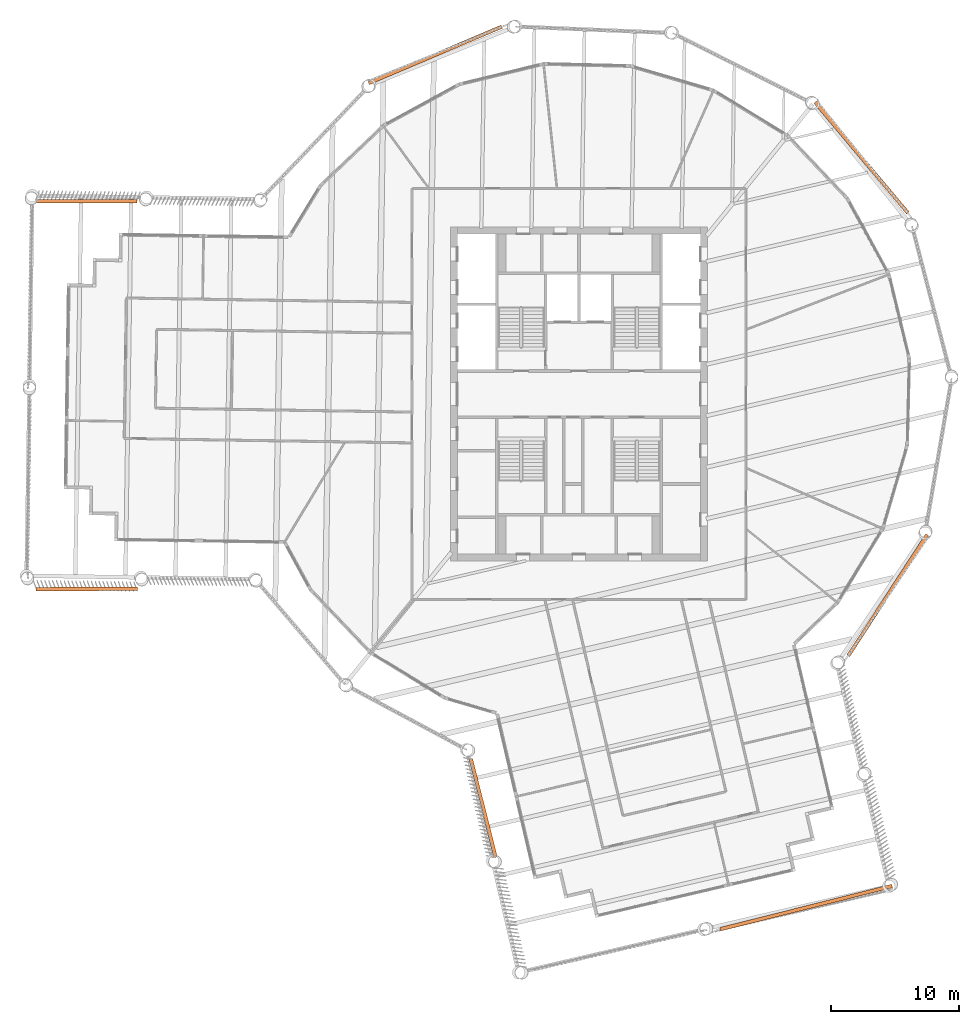
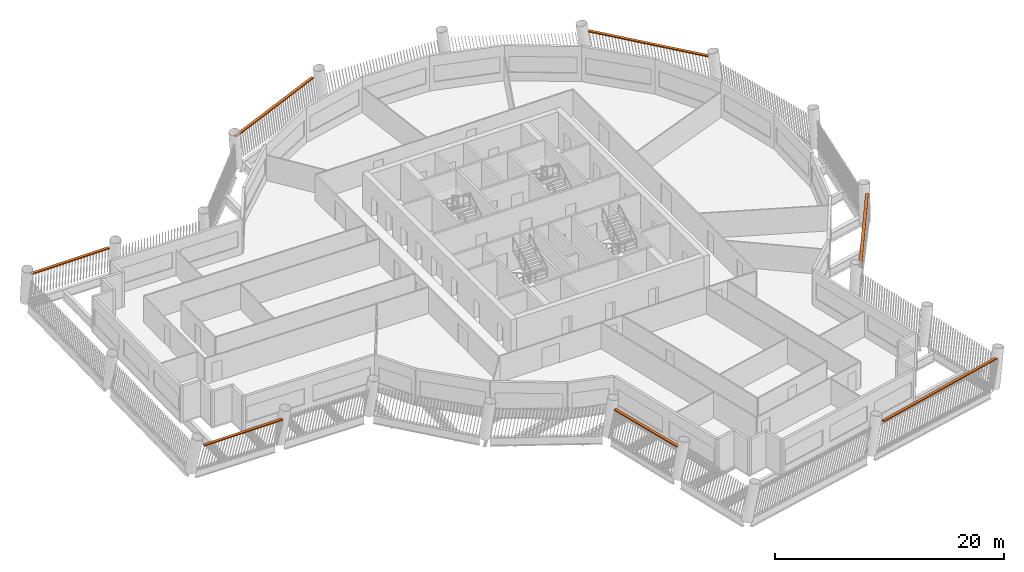
# One storey, part 15 of 15: 7 proxies.
"""IFC4 building model written with IfcOpenShell, lengths in metres."""

import ifcopenshell
import ifcopenshell.guid

model = None  # the IFC model being written
_history = None  # IfcOwnerHistory: only IFC2X3 demands one
_inside = {}  # id of a spatial element -> (the spatial element, [elements in it])
_under = {}  # id of a project, library or spatial element -> (it, [spatial elements below it])
_declared = {}  # id of a project -> (the project, [libraries it declares])
_typed = {}  # id of a type object -> (the type object, [elements of that type])
_made_of = {}  # id of a material, layer set ... -> (it, [elements and type objects made of it])


def new_model(schema):
    """Start an empty IFC model of exactly this schema.

    Asked for "IFC4X3", IfcOpenShell would pick the latest addendum, in which some entities
    have other attributes; the version numbers below select the first issue.
    IFC2X3 requires an IfcOwnerHistory on every rooted entity: one is made here for all.
    """
    global model, _history
    if schema == "IFC4X3":
        model = ifcopenshell.file(schema_version=(4, 3, 0, 0))
    else:
        model = ifcopenshell.file(schema=schema)
    _inside.clear()
    _under.clear()
    _declared.clear()
    _typed.clear()
    _made_of.clear()
    _history = None
    if model.schema == "IFC2X3":
        org = make("IfcOrganization", Name="unknown")
        user = make(
            "IfcPersonAndOrganization",
            ThePerson=make("IfcPerson", FamilyName="unknown"),
            TheOrganization=org,
        )
        app = make(
            "IfcApplication",
            ApplicationDeveloper=org,
            Version="unknown",
            ApplicationFullName="unknown",
            ApplicationIdentifier="unknown",
        )
        _history = make(
            "IfcOwnerHistory",
            OwningUser=user,
            OwningApplication=app,
            ChangeAction="ADDED",
            CreationDate=0,
        )
    return model


def make(cls, **values):
    """One entity of the class cls with the attributes given. An attribute that is None is left unset."""
    return model.create_entity(
        cls, **{name: value for name, value in values.items() if value is not None}
    )


def rooted(cls, **values):
    """An entity with a GlobalId (a new one), such as an element, a storey or a relation."""
    return make(cls, GlobalId=ifcopenshell.guid.new(), OwnerHistory=_history, **values)


def si_unit(unit_type, name, prefix=None):
    """IfcSIUnit, for example si_unit("LENGTHUNIT", "METRE", prefix="MILLI")."""
    return make("IfcSIUnit", UnitType=unit_type, Prefix=prefix, Name=name)


def assignment(units):
    """IfcUnitAssignment: the units of a project."""
    return None if units is None else make("IfcUnitAssignment", Units=units)


def point(xyz):
    """IfcCartesianPoint."""
    return None if xyz is None else make("IfcCartesianPoint", Coordinates=xyz)


def direction(xyz):
    """IfcDirection."""
    return None if xyz is None else make("IfcDirection", DirectionRatios=xyz)


def frame(location, z_axis=None, x_axis=None):
    """IfcAxis2Placement3D, a coordinate frame: its origin and axes. An axis left out is left unset."""
    return make(
        "IfcAxis2Placement3D",
        Location=point(location),
        Axis=direction(z_axis),
        RefDirection=direction(x_axis),
    )


def frame_2d(location, x_axis=None):
    """IfcAxis2Placement2D, a coordinate frame in the plane: its origin and x axis."""
    return make(
        "IfcAxis2Placement2D", Location=point(location), RefDirection=direction(x_axis)
    )


def origin():
    """The frame at (0, 0, 0) with its axes left unset."""
    return frame((0.0, 0.0, 0.0))


def origin_2d():
    """The frame at (0, 0) in the plane with its x axis left unset."""
    return frame_2d((0.0, 0.0))


def place(relative_to, where):
    """IfcLocalPlacement: puts the frame where relative to a parent placement (None: the world)."""
    return make(
        "IfcLocalPlacement", PlacementRelTo=relative_to, RelativePlacement=where
    )


def context(
    kind, dimensions, precision=None, world=None, true_north=None, identifier=None
):
    """IfcGeometricRepresentationContext, for example the 3D "Model" context."""
    return make(
        "IfcGeometricRepresentationContext",
        ContextIdentifier=identifier,
        ContextType=kind,
        CoordinateSpaceDimension=dimensions,
        Precision=precision,
        WorldCoordinateSystem=world,
        TrueNorth=true_north,
    )


def subcontext(parent, identifier, kind, view, scale=None):
    """IfcGeometricRepresentationSubContext, for example "Body" below "Model"."""
    return make(
        "IfcGeometricRepresentationSubContext",
        ContextIdentifier=identifier,
        ContextType=kind,
        ParentContext=parent,
        TargetScale=scale,
        TargetView=view,
    )


def project(units=None, contexts=None):
    """IfcProject with its units and contexts."""
    return rooted(
        "IfcProject",
        Name="project",
        RepresentationContexts=contexts,
        UnitsInContext=assignment(units),
    )


def spatial(cls, under=None, at=None, **own):
    """A site, building, storey or space (cls), placed at a placement, below another one or the project."""
    s = rooted(cls, ObjectPlacement=at, **own)
    if under is not None:
        _under.setdefault(under.id(), (under, []))[1].append(s)
    return s


def profile(cls, at=None, kind="AREA", **sizes):
    """A parametric profile (cls). Its sizes go by their IFC names, for example OverallWidth=200.0."""
    return make(cls, ProfileType=kind, Position=at, **sizes)


def rectangle(**sizes):
    """IfcRectangleProfileDef."""
    return profile("IfcRectangleProfileDef", **sizes)


def extrude(swept, where, along, depth):
    """IfcExtrudedAreaSolid: the profile swept, set in the frame where, extruded along a direction by depth."""
    return make(
        "IfcExtrudedAreaSolid",
        SweptArea=swept,
        Position=where,
        ExtrudedDirection=direction(along),
        Depth=depth,
    )


def shape(context_of_items, identifier, shape_type, items):
    """IfcShapeRepresentation: the items that make up one representation, for example the "Body"."""
    return make(
        "IfcShapeRepresentation",
        ContextOfItems=context_of_items,
        RepresentationIdentifier=identifier,
        RepresentationType=shape_type,
        Items=items,
    )


def material(Name=None, Category=None):
    """IfcMaterial."""
    return make("IfcMaterial", Name=Name, Category=Category)


def made_of(thing, what):
    """Note that an element or type object is made of a material, layer set ...; save() writes the relation."""
    if what is not None:
        _made_of.setdefault(what.id(), (what, []))[1].append(thing)
    return thing


def type_object(cls, material=None, **own):
    """A type object (cls), such as IfcWallType, which elements share."""
    return made_of(rooted(cls, **own), material)


def element(
    cls,
    number,
    at=None,
    inside=None,
    cuts=None,
    type_object=None,
    material=None,
    context=None,
    identifier="Body",
    shape_type=None,
    held_by="IfcProductDefinitionShape",
    body=None,
    shapes=None,
    **own,
):
    """One element of the class cls, such as IfcWall. Its Tag is "e" and its number.

    at: its placement. inside: the storey or other place that contains it. cuts: it is an
    opening in that element (IfcRelVoidsElement). A single representation is given by context,
    identifier, shape_type and body (its items); several are given by shapes. held_by: the class
    of the entity that holds the representations. save() writes the other relations.
    """
    e = rooted(cls, Tag="e%d" % number, ObjectPlacement=at, **own)
    if body is not None:
        shapes = [shape(context, identifier, shape_type, body)]
    if shapes is not None:
        e.Representation = make(held_by, Representations=shapes)
    if inside is not None:
        _inside.setdefault(inside.id(), (inside, []))[1].append(e)
    if cuts is not None:
        rooted(
            "IfcRelVoidsElement", RelatingBuildingElement=cuts, RelatedOpeningElement=e
        )
    if type_object is not None:
        _typed.setdefault(type_object.id(), (type_object, []))[1].append(e)
    return made_of(e, material)


def aggregate(whole, parts):
    """IfcRelAggregates: a whole, such as a stair, and the parts it consists of."""
    return rooted("IfcRelAggregates", RelatingObject=whole, RelatedObjects=parts)


def save(model, path):
    """Write the relations noted so far, then the file.

    IfcRelAggregates (storeys below a building ...), IfcRelContainedInSpatialStructure (elements
    in a storey), IfcRelDefinesByType, IfcRelAssociatesMaterial and IfcRelDeclares: one each for
    every whole, place, type object, material and project.
    """
    for whole, parts in _under.values():
        aggregate(whole, parts)
    for where, things in _inside.values():
        rooted(
            "IfcRelContainedInSpatialStructure",
            RelatedElements=things,
            RelatingStructure=where,
        )
    for kind, things in _typed.values():
        rooted("IfcRelDefinesByType", RelatedObjects=things, RelatingType=kind)
    for what, things in _made_of.values():
        rooted("IfcRelAssociatesMaterial", RelatedObjects=things, RelatingMaterial=what)
    for by, libraries in _declared.values():
        rooted("IfcRelDeclares", RelatingContext=by, RelatedDefinitions=libraries)
    model.write(path)


model = new_model("IFC4")

# Units and contexts
model_context = context("Model", 3, precision=1e-05, world=origin(), true_north=direction((0.0, 1.0)))
body_context = subcontext(model_context, "Body", "Model", "MODEL_VIEW")
ifc_project = project(units=[si_unit("LENGTHUNIT", "METRE"), si_unit("AREAUNIT", "SQUARE_METRE"), si_unit("VOLUMEUNIT", "CUBIC_METRE"), si_unit("PLANEANGLEUNIT", "RADIAN"), si_unit("MASSUNIT", "GRAM", prefix="KILO")], contexts=[model_context])

# Site, building, storey
site_placement = place(None, origin())
site = spatial("IfcSite", under=ifc_project, at=site_placement, CompositionType="ELEMENT")
building_placement = place(site_placement, origin())
building = spatial("IfcBuilding", under=site, at=building_placement, Name="Tarsis Ring Headquarters", CompositionType="ELEMENT")
storey_placement = place(building_placement, frame((0.0, 0.0, 282.5)))
storey = spatial("IfcBuildingStorey", under=building, at=storey_placement, Name="L66", CompositionType="ELEMENT", Elevation=282.5)

# Proxies
ifc_material = material(Name="Structural steel S355", Category="steel")
building_element_proxy_type = type_object("IfcBuildingElementProxyType", Name="Screen bracket plate", PredefinedType="USERDEFINED", material=ifc_material)
proxy_1_placement = place(storey_placement, frame((-7.455322265625, -32.239501953125, 2.9677734375), z_axis=(0.0, 0.0, 1.0), x_axis=(0.243953596915, -0.969786905744, 0.0)))
element("IfcBuildingElementProxy", 1, at=proxy_1_placement, inside=storey, type_object=building_element_proxy_type, Name="Screen bracket L66-01", ObjectType="Bracket", PredefinedType="USERDEFINED", context=body_context, shape_type="SweptSolid", body=[
    extrude(rectangle(XDim=7.90234375, YDim=0.280029296875, at=origin_2d()), origin(), (0.0, 0.0, 1.0), 0.1201171875),
])
proxy_2_placement = place(storey_placement, frame((17.689697265625, -39.98779296875, 2.9677734375), z_axis=(0.0, 0.0, 1.0), x_axis=(0.969786922775, 0.243953529211, 0.0)))
element("IfcBuildingElementProxy", 2, at=proxy_2_placement, inside=storey, type_object=building_element_proxy_type, Name="Screen bracket L66-04", ObjectType="Bracket", PredefinedType="USERDEFINED", context=body_context, shape_type="SweptSolid", body=[
    extrude(rectangle(XDim=13.800048828125, YDim=0.280029296875, at=origin_2d()), origin(), (0.0, 0.0, 1.0), 0.1201171875),
])
for number, where, z_axis, x_axis, name in (
    (3, (24.04052734375, -15.658935546875, 2.9677734375), (0.0, 0.0, 1.0), (0.545790848042, 0.837921446314, 0.0), "Screen bracket L66-07"),
    (4, (21.99462890625, 18.42236328125, 2.9677734375), (0.0, 0.0, 1.0), (-0.642102167007, 0.766619075633, 0.0), "Screen bracket L66-10"),
    (5, (-11.19921875, 26.414306640625, 2.9677734375), (0.0, 0.0, 1.0), (-0.920666895248, -0.390349161641, 0.0), "Screen bracket L66-13"),
):
    element("IfcBuildingElementProxy", number, at=place(storey_placement, frame(where, z_axis=z_axis, x_axis=x_axis)), inside=storey, type_object=building_element_proxy_type, Name=name, ObjectType="Bracket", PredefinedType="USERDEFINED", context=body_context, shape_type="SweptSolid", body=[
        extrude(rectangle(XDim=11.248779296875, YDim=0.280029296875, at=origin_2d()), origin(), (0.0, 0.0, 1.0), 0.1201171875),
    ])
for number, where, z_axis, x_axis, name in (
    (6, (-38.38037109375, 15.0146484375, 2.9677734375), (0.0, 0.0, 1.0), (-0.999997806719, -0.002094411024, 0.0), "Screen bracket L66-16"),
    (7, (-38.317138671875, -15.17529296875, 2.9677734375), (0.0, 0.0, 1.0), (0.999997806719, 0.002094411024, 0.0), "Screen bracket L66-19"),
):
    element("IfcBuildingElementProxy", number, at=place(storey_placement, frame(where, z_axis=z_axis, x_axis=x_axis)), inside=storey, type_object=building_element_proxy_type, Name=name, ObjectType="Bracket", PredefinedType="USERDEFINED", context=body_context, shape_type="SweptSolid", body=[
        extrude(rectangle(XDim=7.90234375, YDim=0.280029296875, at=origin_2d()), origin(), (0.0, 0.0, 1.0), 0.1201171875),
    ])

save(model, "model.ifc")
